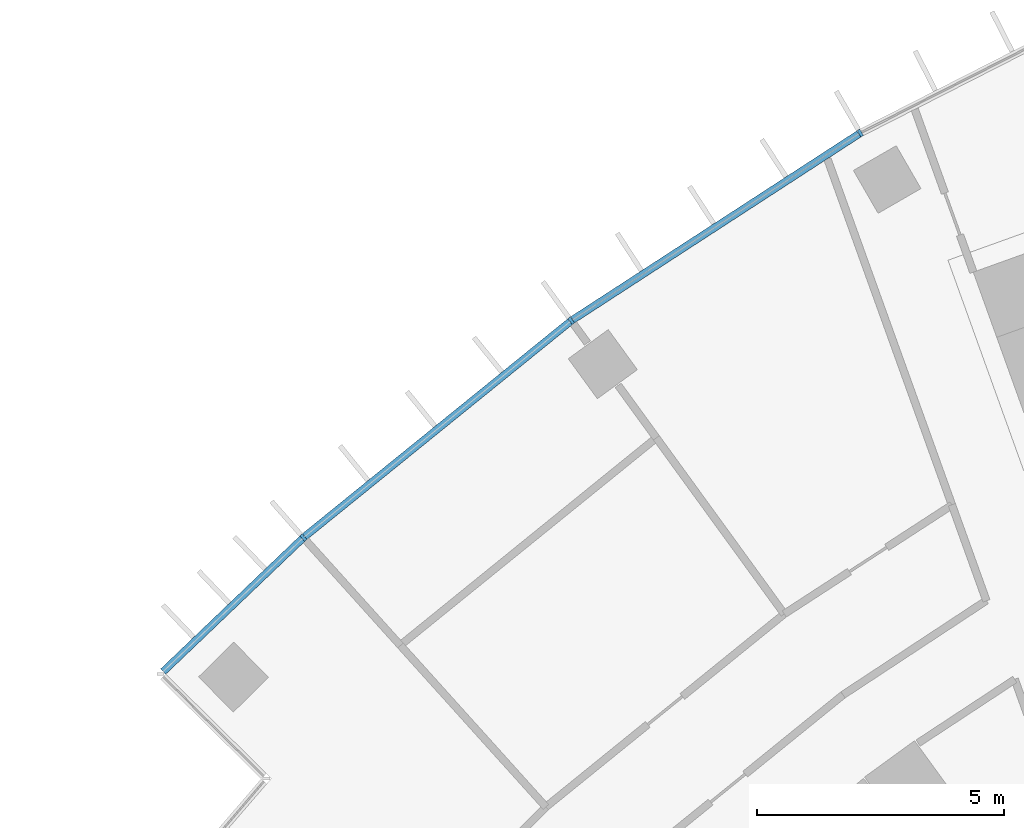
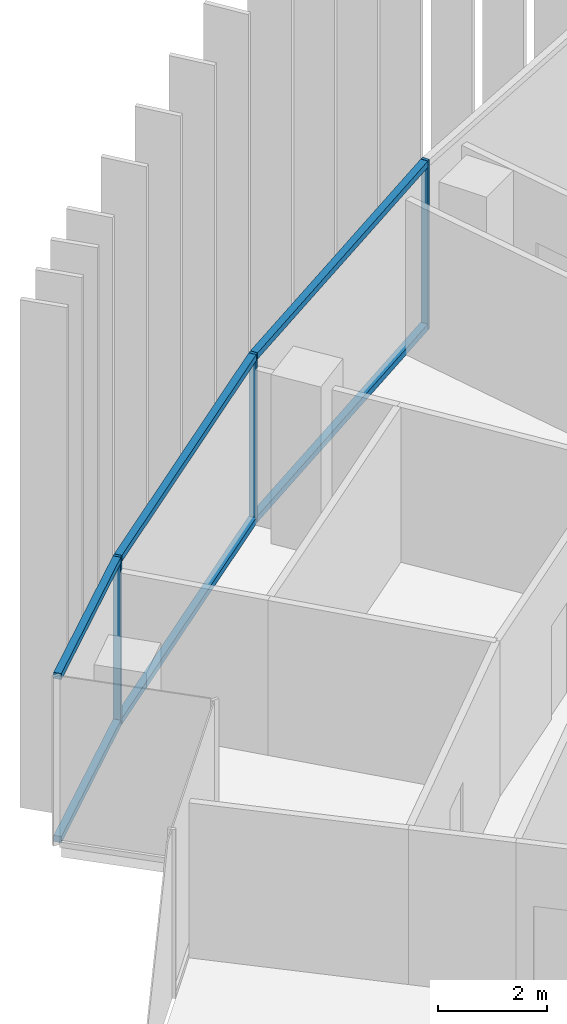
# One storey, part 4 of 22: 9 members, 1 element without a shape of its own.
"""IFC4 building model written with IfcOpenShell, lengths in metres."""

from ifc_helpers import new_model, si_unit, direction, frame, origin, origin_2d, place, context, subcontext, project, spatial, rectangle, extrude, material, layer, layer_set, material_profile, profile_set, type_object, element, aggregate, save


model = new_model("IFC4")

# Units and contexts
model_context = context("Model", 3, precision=1e-05, world=origin(), true_north=direction((0.0, 1.0)))
body_context = subcontext(model_context, "Body", "Model", "MODEL_VIEW")
ifc_project = project(units=[si_unit("LENGTHUNIT", "METRE"), si_unit("AREAUNIT", "SQUARE_METRE"), si_unit("VOLUMEUNIT", "CUBIC_METRE"), si_unit("PLANEANGLEUNIT", "RADIAN"), si_unit("MASSUNIT", "GRAM", prefix="KILO")], contexts=[model_context])

# Site, building, storey
site_placement = place(None, origin())
site = spatial("IfcSite", under=ifc_project, at=site_placement, CompositionType="ELEMENT")
building_placement = place(site_placement, origin())
building = spatial("IfcBuilding", under=site, at=building_placement, Name="Stone Belt Terrace Tower", CompositionType="ELEMENT")
storey_placement = place(building_placement, frame((0.0, 0.0, 155.39990234375)))
storey = spatial("IfcBuildingStorey", under=building, at=storey_placement, Name="L37", CompositionType="ELEMENT", Elevation=155.39990234375)

# Curtain wall, members
ifc_material = material(Name="Aluminium 6063-T6 anodised frame", Category="aluminium")
ifc_layer = layer(ifc_material, 0.14990234375)
ifc_layer_set = layer_set([ifc_layer], Name="CW-A unitised convex-face curtain wall")
curtain_wall_type = type_object("IfcCurtainWallType", Name="CW-A unitised convex-face curtain wall", PredefinedType="NOTDEFINED", material=ifc_layer_set)
curtain_wall_placement = place(storey_placement, origin())
curtain_wall = element("IfcCurtainWall", 1, at=curtain_wall_placement, inside=storey, type_object=curtain_wall_type, Name="CW-A convex face L37", PredefinedType="NOTDEFINED")
ifc_material_profile_1 = material_profile(ifc_material, rectangle(XDim=0.14990234375, YDim=0.06005859375, at=origin_2d()), Name="Aluminium 6063-T6 60x150")
ifc_profile_set_1 = profile_set([ifc_material_profile_1], Name="Aluminium 6063-T6 anodised frame")
member_type_1 = type_object("IfcMemberType", Name="CW-A mullion 60 x 150", PredefinedType="MULLION", material=ifc_profile_set_1)
member_1_placement = place(storey_placement, frame((-33.28759765625, 57.65576171875, 0.0), z_axis=(0.0, 0.0, 1.0), x_axis=(0.5, -0.866025403784, 0.0)))
member_1 = element("IfcMember", 2, at=member_1_placement, type_object=member_type_1, Name="CW-A mullion 14", PredefinedType="MULLION", context=body_context, shape_type="SweptSolid", body=[
    extrude(rectangle(XDim=0.14990234375, YDim=0.06005859375, at=origin_2d()), origin(), (0.0, 0.0, 1.0), 3.800048828125),
])
member_2_placement = place(storey_placement, frame((-39.1318359375, 53.8603515625, 0.0), z_axis=(0.0, 0.0, 1.0), x_axis=(0.587785252292, -0.809016994375, 0.0)))
member_2 = element("IfcMember", 3, at=member_2_placement, type_object=member_type_1, Name="CW-A mullion 15", PredefinedType="MULLION", context=body_context, shape_type="SweptSolid", body=[
    extrude(rectangle(XDim=0.14990234375, YDim=0.06005859375, at=origin_2d()), origin(), (0.0, 0.0, 1.0), 3.800048828125),
])
member_3_placement = place(storey_placement, frame((-44.546875, 49.4755859375, 0.0), z_axis=(0.0, 0.0, 1.0), x_axis=(0.660573481499, -0.75076139721, 0.0)))
member_3 = element("IfcMember", 4, at=member_3_placement, type_object=member_type_1, Name="CW-A mullion 16", PredefinedType="MULLION", context=body_context, shape_type="SweptSolid", body=[
    extrude(rectangle(XDim=0.14990234375, YDim=0.06005859375, at=origin_2d()), origin(), (0.0, 0.0, 1.0), 3.800048828125),
])
ifc_material_profile_2 = material_profile(ifc_material, rectangle(XDim=0.14990234375, YDim=0.139892578125, at=origin_2d()), Name="Aluminium 6063-T6 150x140")
ifc_profile_set_2 = profile_set([ifc_material_profile_2], Name="Aluminium 6063-T6 anodised frame")
member_type_2 = type_object("IfcMemberType", Name="CW-A transom 140 x 150", PredefinedType="USERDEFINED", material=ifc_profile_set_2)
member_4_placement = place(storey_placement, frame((-33.31591796875, 57.63720703125, 0.070068359375), z_axis=(-0.83868440714, -0.544617723931, 0.0), x_axis=(0.544617723931, -0.83868440714, 0.0)))
member_4 = element("IfcMember", 5, at=member_4_placement, type_object=member_type_2, Name="CW-A transom 14.1", ObjectType="TRANSOM", PredefinedType="USERDEFINED", context=body_context, shape_type="SweptSolid", body=[
    extrude(rectangle(XDim=0.14990234375, YDim=0.139892578125, at=origin_2d()), origin(), (0.0, 0.0, 1.0), 6.90087890625),
])
member_5_placement = place(storey_placement, frame((-33.31591796875, 57.63720703125, 3.72998046875), z_axis=(-0.83868440714, -0.544617723931, 0.0), x_axis=(0.544617723931, -0.83868440714, 0.0)))
member_5 = element("IfcMember", 6, at=member_5_placement, type_object=member_type_2, Name="CW-A transom 14.2", ObjectType="TRANSOM", PredefinedType="USERDEFINED", context=body_context, shape_type="SweptSolid", body=[
    extrude(rectangle(XDim=0.14990234375, YDim=0.139892578125, at=origin_2d()), origin(), (0.0, 0.0, 1.0), 6.90087890625),
])
member_6_placement = place(storey_placement, frame((-39.158203125, 53.839111328125, 0.070068359375), z_axis=(-0.777141048626, -0.629326457842, 0.0), x_axis=(0.629326457842, -0.777141048626, 0.0)))
member_6 = element("IfcMember", 7, at=member_6_placement, type_object=member_type_2, Name="CW-A transom 15.1", ObjectType="TRANSOM", PredefinedType="USERDEFINED", context=body_context, shape_type="SweptSolid", body=[
    extrude(rectangle(XDim=0.14990234375, YDim=0.139892578125, at=origin_2d()), origin(), (0.0, 0.0, 1.0), 6.900634765625),
])
member_7_placement = place(storey_placement, frame((-39.158203125, 53.839111328125, 3.72998046875), z_axis=(-0.777141048626, -0.629326457842, 0.0), x_axis=(0.629326457842, -0.777141048626, 0.0)))
member_7 = element("IfcMember", 8, at=member_7_placement, type_object=member_type_2, Name="CW-A transom 15.2", ObjectType="TRANSOM", PredefinedType="USERDEFINED", context=body_context, shape_type="SweptSolid", body=[
    extrude(rectangle(XDim=0.14990234375, YDim=0.139892578125, at=origin_2d()), origin(), (0.0, 0.0, 1.0), 6.900634765625),
])
member_8_placement = place(storey_placement, frame((-44.570556640625, 49.45263671875, 0.070068359375), z_axis=(-0.723150258233, -0.690690744124, 0.0), x_axis=(0.690690744124, -0.723150258233, 0.0)))
member_8 = element("IfcMember", 9, at=member_8_placement, type_object=member_type_2, Name="CW-A transom 16.1", ObjectType="TRANSOM", PredefinedType="USERDEFINED", context=body_context, shape_type="SweptSolid", body=[
    extrude(rectangle(XDim=0.14990234375, YDim=0.139892578125, at=origin_2d()), origin(), (0.0, 0.0, 1.0), 3.888671875),
])
member_9_placement = place(storey_placement, frame((-44.570556640625, 49.45263671875, 3.72998046875), z_axis=(-0.723150258233, -0.690690744124, 0.0), x_axis=(0.690690744124, -0.723150258233, 0.0)))
member_9 = element("IfcMember", 10, at=member_9_placement, type_object=member_type_2, Name="CW-A transom 16.2", ObjectType="TRANSOM", PredefinedType="USERDEFINED", context=body_context, shape_type="SweptSolid", body=[
    extrude(rectangle(XDim=0.14990234375, YDim=0.139892578125, at=origin_2d()), origin(), (0.0, 0.0, 1.0), 3.888671875),
])
aggregate(curtain_wall, [member_1, member_2, member_3, member_4, member_5, member_6, member_7, member_8, member_9])

save(model, "model.ifc")
